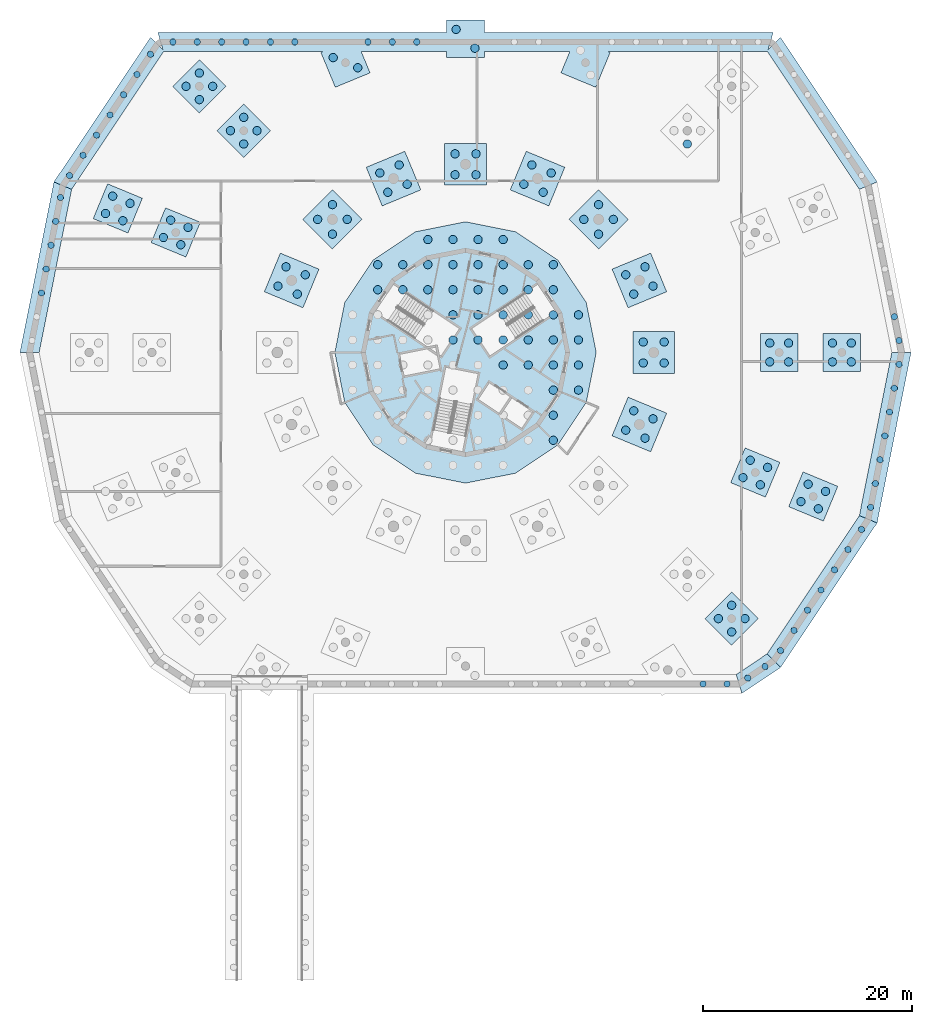
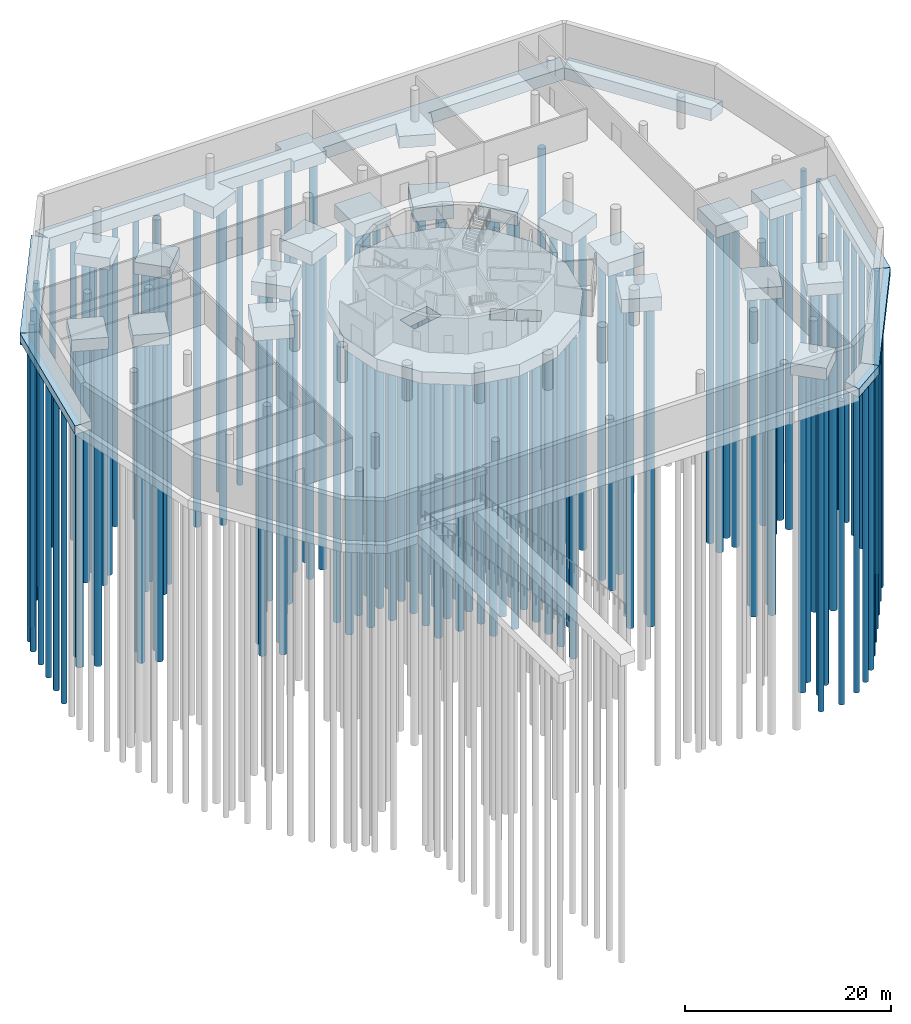
# One storey, part 2 of 8: 158 piles, 24 footings.
"""IFC4 building model written with IfcOpenShell, lengths in metres."""

from ifc_helpers import new_model, si_unit, direction, frame, origin, origin_2d, place, context, subcontext, project, spatial, polyline, circle, outline, extrude, material, layer, layer_set, material_profile, profile_set, type_object, element, save


model = new_model("IFC4")

# Units and contexts
model_context = context("Model", 3, precision=1e-05, world=origin(), true_north=direction((0.0, 1.0)))
body_context = subcontext(model_context, "Body", "Model", "MODEL_VIEW")
ifc_project = project(units=[si_unit("LENGTHUNIT", "METRE"), si_unit("AREAUNIT", "SQUARE_METRE"), si_unit("VOLUMEUNIT", "CUBIC_METRE"), si_unit("PLANEANGLEUNIT", "RADIAN"), si_unit("MASSUNIT", "GRAM", prefix="KILO")], contexts=[model_context])

# Site, building, storey
site_placement = place(None, origin())
site = spatial("IfcSite", under=ifc_project, at=site_placement, CompositionType="ELEMENT")
building_placement = place(site_placement, origin())
building = spatial("IfcBuilding", under=site, at=building_placement, Name="Ceibo Conservatory and Research Tower", CompositionType="ELEMENT")
storey_placement = place(building_placement, frame((0.0, 0.0, -4.199951171875)))
storey = spatial("IfcBuildingStorey", under=building, at=storey_placement, Name="B1", CompositionType="ELEMENT", Elevation=-4.199951171875)

# Piles
ifc_material_1 = material(Name="Concrete C35/45", Category="concrete")
ifc_material_profile_1 = material_profile(ifc_material_1, circle(Radius=0.300048828125, at=origin_2d()), Name="RC D600")
ifc_profile_set_1 = profile_set([ifc_material_profile_1], Name="Concrete C35/45")
pile_type_1 = type_object("IfcPileType", Name="Bored pile D600", PredefinedType="BORED", material=ifc_profile_set_1)
for number, where, z_axis, x_axis, name in (
    (1, (43.3349609375, 149.699951171875, -1.900146484375), (0.0, 0.0, -1.0), (1.0, 0.0, 0.0), "Pile B1.CAP.R05.J 16"),
    (2, (41.00244140625, 149.699951171875, -1.900146484375), (0.0, 0.0, -1.0), (1.0, 0.0, 0.0), "Pile B1.CAP.R05.J 17"),
    (3, (38.669921875, 149.699951171875, -1.900146484375), (0.0, 0.0, -1.0), (1.0, 0.0, 0.0), "Pile B1.CAP.R05.J 18"),
    (4, (31.672607421875, 149.699951171875, -1.900146484375), (0.0, 0.0, -1.0), (1.0, 0.0, 0.0), "Pile B1.CAP.R05.J 19"),
    (5, (29.340087890625, 149.699951171875, -1.900146484375), (0.0, 0.0, -1.0), (1.0, 0.0, 0.0), "Pile B1.CAP.R05.J 20"),
    (6, (27.007568359375, 149.699951171875, -1.900146484375), (0.0, 0.0, -1.0), (1.0, 0.0, 0.0), "Pile B1.CAP.R05.J 21"),
    (7, (24.675048828125, 149.699951171875, -1.900146484375), (0.0, 0.0, -1.0), (1.0, 0.0, 0.0), "Pile B1.CAP.R05.J 22"),
    (8, (22.342529296875, 149.699951171875, -1.900146484375), (0.0, 0.0, -1.0), (1.0, 0.0, 0.0), "Pile B1.CAP.R05.J 23"),
    (9, (20.010009765625, 149.699951171875, -1.900146484375), (0.0, 0.0, -1.0), (1.0, 0.0, 0.0), "Pile B1.CAP.R05.J 24"),
    (10, (17.872314453125, 148.51611328125, -1.900146484375), (0.0, 0.0, -1.0), (1.0, 0.0, 0.0), "Pile B1.CAP.R05.J 32"),
    (11, (16.5810546875, 146.583740234375, -1.900146484375), (0.0, 0.0, -1.0), (1.0, 0.0, 0.0), "Pile B1.CAP.R05.J 33"),
    (12, (15.289794921875, 144.6513671875, -1.900146484375), (0.0, 0.0, -1.0), (1.0, 0.0, 0.0), "Pile B1.CAP.R05.J 34"),
    (13, (13.998779296875, 142.718994140625, -1.900146484375), (0.0, 0.0, -1.0), (1.0, 0.0, 0.0), "Pile B1.CAP.R05.J 35"),
    (14, (12.70751953125, 140.78662109375, -1.900146484375), (0.0, 0.0, -1.0), (1.0, 0.0, 0.0), "Pile B1.CAP.R05.J 36"),
    (15, (11.41650390625, 138.854248046875, -1.900146484375), (0.0, 0.0, -1.0), (1.0, 0.0, 0.0), "Pile B1.CAP.R05.J 37"),
    (16, (10.125244140625, 136.921875, -1.900146484375), (0.0, 0.0, -1.0), (1.0, 0.0, 0.0), "Pile B1.CAP.R05.J 38"),
    (17, (70.724365234375, 88.300048828125, -1.900146484375), (0.0, 0.0, -1.0), (1.0, 0.0, 0.0), "Pile B1.CAPM.R10.J 17"),
    (18, (73.016845703125, 88.300048828125, -1.900146484375), (0.0, 0.0, -1.0), (1.0, 0.0, 0.0), "Pile B1.CAPM.R10.J 18"),
    (19, (9.2529296875, 134.81591796875, -1.5), (0.0, 0.0, -1.0), (1.0, 0.0, 0.0), "Pile B1.STRIP.F05 01"),
    (20, (8.799560546875, 132.53662109375, -1.5), (0.0, 0.0, -1.0), (1.0, 0.0, 0.0), "Pile B1.STRIP.F05 02"),
    (21, (8.34619140625, 130.25732421875, -1.5), (0.0, 0.0, -1.0), (1.0, 0.0, 0.0), "Pile B1.STRIP.F05 03"),
    (22, (7.892822265625, 127.977783203125, -1.5), (0.0, 0.0, -1.0), (1.0, 0.0, 0.0), "Pile B1.STRIP.F05 04"),
    (23, (7.439453125, 125.698486328125, -1.5), (0.0, 0.0, -1.0), (1.0, 0.0, 0.0), "Pile B1.STRIP.F05 05"),
    (24, (74.992919921875, 88.8544921875, -1.5), (0.0, 0.0, -1.0), (1.0, 0.0, 0.0), "Pile B1.STRIP.F10 01"),
    (25, (76.65234375, 89.96337890625, -1.5), (0.0, 0.0, -1.0), (1.0, 0.0, 0.0), "Pile B1.STRIP.F10 02"),
    (26, (78.127685546875, 91.48388671875, -1.5), (0.0, 0.0, -1.0), (1.0, 0.0, 0.0), "Pile B1.STRIP.F11 01"),
    (27, (79.4189453125, 93.416259765625, -1.5), (0.0, 0.0, -1.0), (1.0, 0.0, 0.0), "Pile B1.STRIP.F11 02"),
    (28, (80.710205078125, 95.3486328125, -1.5), (0.0, 0.0, -1.0), (1.0, 0.0, 0.0), "Pile B1.STRIP.F11 03"),
    (29, (82.001220703125, 97.281005859375, -1.5), (0.0, 0.0, -1.0), (1.0, 0.0, 0.0), "Pile B1.STRIP.F11 04"),
    (30, (83.29248046875, 99.21337890625, -1.5), (0.0, 0.0, -1.0), (1.0, 0.0, 0.0), "Pile B1.STRIP.F11 05"),
    (31, (84.58349609375, 101.145751953125, -1.5), (0.0, 0.0, -1.0), (1.0, 0.0, 0.0), "Pile B1.STRIP.F11 06"),
    (32, (85.874755859375, 103.078125, -1.5), (0.0, 0.0, -1.0), (1.0, 0.0, 0.0), "Pile B1.STRIP.F11 07"),
    (33, (86.7470703125, 105.18408203125, -1.5), (0.0, 0.0, -1.0), (1.0, 0.0, 0.0), "Pile B1.STRIP.F12 01"),
    (34, (87.200439453125, 107.46337890625, -1.5), (0.0, 0.0, -1.0), (1.0, 0.0, 0.0), "Pile B1.STRIP.F12 02"),
    (35, (87.65380859375, 109.74267578125, -1.5), (0.0, 0.0, -1.0), (1.0, 0.0, 0.0), "Pile B1.STRIP.F12 03"),
    (36, (88.107177734375, 112.022216796875, -1.5), (0.0, 0.0, -1.0), (1.0, 0.0, 0.0), "Pile B1.STRIP.F12 04"),
    (37, (88.560546875, 114.301513671875, -1.5), (0.0, 0.0, -1.0), (1.0, 0.0, 0.0), "Pile B1.STRIP.F12 05"),
    (38, (89.013916015625, 116.580810546875, -1.5), (0.0, 0.0, -1.0), (1.0, 0.0, 0.0), "Pile B1.STRIP.F12 06"),
    (39, (89.467529296875, 118.8603515625, -1.5), (0.0, 0.0, -1.0), (1.0, 0.0, 0.0), "Pile B1.STRIP.F12 07"),
    (40, (89.467529296875, 121.1396484375, -1.5), (0.0, 0.0, -1.0), (1.0, 0.0, 0.0), "Pile B1.STRIP.F13 01"),
    (41, (89.013916015625, 123.419189453125, -1.5), (0.0, 0.0, -1.0), (1.0, 0.0, 0.0), "Pile B1.STRIP.F13 02"),
):
    element("IfcPile", number, at=place(storey_placement, frame(where, z_axis=z_axis, x_axis=x_axis)), inside=storey, type_object=pile_type_1, Name=name, PredefinedType="BORED", context=body_context, shape_type="SweptSolid", body=[
        extrude(circle(Radius=0.300048828125, at=origin_2d()), origin(), (0.0, 0.0, 1.0), 36.0),
    ])
ifc_material_profile_2 = material_profile(ifc_material_1, circle(Radius=0.39990234375, at=origin_2d()), Name="RC D800")
ifc_profile_set_2 = profile_set([ifc_material_profile_2], Name="Concrete C35/45")
pile_type_2 = type_object("IfcPileType", Name="Bored pile D800", PredefinedType="BORED", material=ifc_profile_set_2)
for number, where, z_axis, x_axis, name in (
    (42, (56.39990234375, 111.60009765625, -2.699951171875), (0.0, 0.0, -1.0), (1.0, 0.0, 0.0), "Pile T.CAP.CORE 12"),
    (43, (56.39990234375, 114.0, -2.699951171875), (0.0, 0.0, -1.0), (1.0, 0.0, 0.0), "Pile T.CAP.CORE 20"),
    (44, (56.39990234375, 116.39990234375, -2.699951171875), (0.0, 0.0, -1.0), (1.0, 0.0, 0.0), "Pile T.CAP.CORE 29"),
    (45, (58.800048828125, 116.39990234375, -2.699951171875), (0.0, 0.0, -1.0), (1.0, 0.0, 0.0), "Pile T.CAP.CORE 30"),
    (46, (51.60009765625, 118.800048828125, -2.699951171875), (0.0, 0.0, -1.0), (1.0, 0.0, 0.0), "Pile T.CAP.CORE 37"),
    (47, (54.0, 118.800048828125, -2.699951171875), (0.0, 0.0, -1.0), (1.0, 0.0, 0.0), "Pile T.CAP.CORE 38"),
    (48, (56.39990234375, 118.800048828125, -2.699951171875), (0.0, 0.0, -1.0), (1.0, 0.0, 0.0), "Pile T.CAP.CORE 39"),
    (49, (58.800048828125, 118.800048828125, -2.699951171875), (0.0, 0.0, -1.0), (1.0, 0.0, 0.0), "Pile T.CAP.CORE 40"),
    (50, (46.800048828125, 121.199951171875, -2.699951171875), (0.0, 0.0, -1.0), (1.0, 0.0, 0.0), "Pile T.CAP.CORE 45"),
    (51, (49.199951171875, 121.199951171875, -2.699951171875), (0.0, 0.0, -1.0), (1.0, 0.0, 0.0), "Pile T.CAP.CORE 46"),
    (52, (51.60009765625, 121.199951171875, -2.699951171875), (0.0, 0.0, -1.0), (1.0, 0.0, 0.0), "Pile T.CAP.CORE 47"),
    (53, (54.0, 121.199951171875, -2.699951171875), (0.0, 0.0, -1.0), (1.0, 0.0, 0.0), "Pile T.CAP.CORE 48"),
    (54, (56.39990234375, 121.199951171875, -2.699951171875), (0.0, 0.0, -1.0), (1.0, 0.0, 0.0), "Pile T.CAP.CORE 49"),
    (55, (58.800048828125, 121.199951171875, -2.699951171875), (0.0, 0.0, -1.0), (1.0, 0.0, 0.0), "Pile T.CAP.CORE 50"),
    (56, (46.800048828125, 123.60009765625, -2.699951171875), (0.0, 0.0, -1.0), (1.0, 0.0, 0.0), "Pile T.CAP.CORE 55"),
    (57, (49.199951171875, 123.60009765625, -2.699951171875), (0.0, 0.0, -1.0), (1.0, 0.0, 0.0), "Pile T.CAP.CORE 56"),
    (58, (51.60009765625, 123.60009765625, -2.699951171875), (0.0, 0.0, -1.0), (1.0, 0.0, 0.0), "Pile T.CAP.CORE 57"),
    (59, (54.0, 123.60009765625, -2.699951171875), (0.0, 0.0, -1.0), (1.0, 0.0, 0.0), "Pile T.CAP.CORE 58"),
    (60, (56.39990234375, 123.60009765625, -2.699951171875), (0.0, 0.0, -1.0), (1.0, 0.0, 0.0), "Pile T.CAP.CORE 59"),
    (61, (58.800048828125, 123.60009765625, -2.699951171875), (0.0, 0.0, -1.0), (1.0, 0.0, 0.0), "Pile T.CAP.CORE 60"),
    (62, (39.60009765625, 126.0, -2.699951171875), (0.0, 0.0, -1.0), (1.0, 0.0, 0.0), "Pile T.CAP.CORE 61"),
    (63, (42.0, 126.0, -2.699951171875), (0.0, 0.0, -1.0), (1.0, 0.0, 0.0), "Pile T.CAP.CORE 62"),
    (64, (44.39990234375, 126.0, -2.699951171875), (0.0, 0.0, -1.0), (1.0, 0.0, 0.0), "Pile T.CAP.CORE 63"),
    (65, (46.800048828125, 126.0, -2.699951171875), (0.0, 0.0, -1.0), (1.0, 0.0, 0.0), "Pile T.CAP.CORE 64"),
    (66, (49.199951171875, 126.0, -2.699951171875), (0.0, 0.0, -1.0), (1.0, 0.0, 0.0), "Pile T.CAP.CORE 65"),
    (67, (51.60009765625, 126.0, -2.699951171875), (0.0, 0.0, -1.0), (1.0, 0.0, 0.0), "Pile T.CAP.CORE 66"),
    (68, (54.0, 126.0, -2.699951171875), (0.0, 0.0, -1.0), (1.0, 0.0, 0.0), "Pile T.CAP.CORE 67"),
    (69, (56.39990234375, 126.0, -2.699951171875), (0.0, 0.0, -1.0), (1.0, 0.0, 0.0), "Pile T.CAP.CORE 68"),
    (70, (39.60009765625, 128.39990234375, -2.699951171875), (0.0, 0.0, -1.0), (1.0, 0.0, 0.0), "Pile T.CAP.CORE 69"),
    (71, (42.0, 128.39990234375, -2.699951171875), (0.0, 0.0, -1.0), (1.0, 0.0, 0.0), "Pile T.CAP.CORE 70"),
    (72, (44.39990234375, 128.39990234375, -2.699951171875), (0.0, 0.0, -1.0), (1.0, 0.0, 0.0), "Pile T.CAP.CORE 71"),
    (73, (46.800048828125, 128.39990234375, -2.699951171875), (0.0, 0.0, -1.0), (1.0, 0.0, 0.0), "Pile T.CAP.CORE 72"),
    (74, (49.199951171875, 128.39990234375, -2.699951171875), (0.0, 0.0, -1.0), (1.0, 0.0, 0.0), "Pile T.CAP.CORE 73"),
    (75, (51.60009765625, 128.39990234375, -2.699951171875), (0.0, 0.0, -1.0), (1.0, 0.0, 0.0), "Pile T.CAP.CORE 74"),
    (76, (54.0, 128.39990234375, -2.699951171875), (0.0, 0.0, -1.0), (1.0, 0.0, 0.0), "Pile T.CAP.CORE 75"),
    (77, (56.39990234375, 128.39990234375, -2.699951171875), (0.0, 0.0, -1.0), (1.0, 0.0, 0.0), "Pile T.CAP.CORE 76"),
    (78, (44.39990234375, 130.800048828125, -2.699951171875), (0.0, 0.0, -1.0), (1.0, 0.0, 0.0), "Pile T.CAP.CORE 77"),
    (79, (46.800048828125, 130.800048828125, -2.699951171875), (0.0, 0.0, -1.0), (1.0, 0.0, 0.0), "Pile T.CAP.CORE 78"),
    (80, (49.199951171875, 130.800048828125, -2.699951171875), (0.0, 0.0, -1.0), (1.0, 0.0, 0.0), "Pile T.CAP.CORE 79"),
    (81, (51.60009765625, 130.800048828125, -2.699951171875), (0.0, 0.0, -1.0), (1.0, 0.0, 0.0), "Pile T.CAP.CORE 80"),
    (82, (65.0, 119.0, -2.10009765625), (0.0, 0.0, -1.0), (1.0, 0.0, 0.0), "Pile T.CAP.R01 01"),
    (83, (65.0, 121.0, -2.10009765625), (0.0, 0.0, -1.0), (1.0, 0.0, 0.0), "Pile T.CAP.R01 02"),
    (84, (67.0, 119.0, -2.10009765625), (0.0, 0.0, -1.0), (1.0, 0.0, 0.0), "Pile T.CAP.R01 03"),
    (85, (67.0, 121.0, -2.10009765625), (0.0, 0.0, -1.0), (1.0, 0.0, 0.0), "Pile T.CAP.R01 04"),
    (86, (64.088623046875, 125.581787109375, -2.10009765625), (0.0, 0.0, -1.0), (1.0, 0.0, 0.0), "Pile T.CAP.R02 01"),
    (87, (63.3232421875, 127.429443359375, -2.10009765625), (0.0, 0.0, -1.0), (1.0, 0.0, 0.0), "Pile T.CAP.R02 02"),
    (88, (65.936279296875, 126.34716796875, -2.10009765625), (0.0, 0.0, -1.0), (1.0, 0.0, 0.0), "Pile T.CAP.R02 03"),
    (89, (65.171142578125, 128.19482421875, -2.10009765625), (0.0, 0.0, -1.0), (1.0, 0.0, 0.0), "Pile T.CAP.R02 04"),
    (90, (60.72802734375, 131.313720703125, -2.10009765625), (0.0, 0.0, -1.0), (1.0, 0.0, 0.0), "Pile T.CAP.R03 01"),
    (91, (59.313720703125, 132.72802734375, -2.10009765625), (0.0, 0.0, -1.0), (1.0, 0.0, 0.0), "Pile T.CAP.R03 02"),
    (92, (62.14208984375, 132.72802734375, -2.10009765625), (0.0, 0.0, -1.0), (1.0, 0.0, 0.0), "Pile T.CAP.R03 03"),
    (93, (60.72802734375, 134.14208984375, -2.10009765625), (0.0, 0.0, -1.0), (1.0, 0.0, 0.0), "Pile T.CAP.R03 04"),
    (94, (55.429443359375, 135.3232421875, -2.10009765625), (0.0, 0.0, -1.0), (1.0, 0.0, 0.0), "Pile T.CAP.R04 01"),
    (95, (53.581787109375, 136.088623046875, -2.10009765625), (0.0, 0.0, -1.0), (1.0, 0.0, 0.0), "Pile T.CAP.R04 02"),
    (96, (56.19482421875, 137.171142578125, -2.10009765625), (0.0, 0.0, -1.0), (1.0, 0.0, 0.0), "Pile T.CAP.R04 03"),
    (97, (54.34716796875, 137.936279296875, -2.10009765625), (0.0, 0.0, -1.0), (1.0, 0.0, 0.0), "Pile T.CAP.R04 04"),
    (98, (49.0, 137.0, -2.10009765625), (0.0, 0.0, -1.0), (1.0, 0.0, 0.0), "Pile T.CAP.R05 01"),
    (99, (47.0, 137.0, -2.10009765625), (0.0, 0.0, -1.0), (1.0, 0.0, 0.0), "Pile T.CAP.R05 02"),
    (100, (49.0, 139.0, -2.10009765625), (0.0, 0.0, -1.0), (1.0, 0.0, 0.0), "Pile T.CAP.R05 03"),
    (101, (47.0, 139.0, -2.10009765625), (0.0, 0.0, -1.0), (1.0, 0.0, 0.0), "Pile T.CAP.R05 04"),
    (102, (42.418212890625, 136.088623046875, -2.10009765625), (0.0, 0.0, -1.0), (1.0, 0.0, 0.0), "Pile T.CAP.R06 01"),
    (103, (40.570556640625, 135.3232421875, -2.10009765625), (0.0, 0.0, -1.0), (1.0, 0.0, 0.0), "Pile T.CAP.R06 02"),
    (104, (41.65283203125, 137.936279296875, -2.10009765625), (0.0, 0.0, -1.0), (1.0, 0.0, 0.0), "Pile T.CAP.R06 03"),
    (105, (39.80517578125, 137.171142578125, -2.10009765625), (0.0, 0.0, -1.0), (1.0, 0.0, 0.0), "Pile T.CAP.R06 04"),
    (106, (36.686279296875, 132.72802734375, -2.10009765625), (0.0, 0.0, -1.0), (1.0, 0.0, 0.0), "Pile T.CAP.R07 01"),
    (107, (35.27197265625, 131.313720703125, -2.10009765625), (0.0, 0.0, -1.0), (1.0, 0.0, 0.0), "Pile T.CAP.R07 02"),
    (108, (35.27197265625, 134.14208984375, -2.10009765625), (0.0, 0.0, -1.0), (1.0, 0.0, 0.0), "Pile T.CAP.R07 03"),
    (109, (33.85791015625, 132.72802734375, -2.10009765625), (0.0, 0.0, -1.0), (1.0, 0.0, 0.0), "Pile T.CAP.R07 04"),
    (110, (32.6767578125, 127.429443359375, -2.10009765625), (0.0, 0.0, -1.0), (1.0, 0.0, 0.0), "Pile T.CAP.R08 01"),
    (111, (31.911376953125, 125.581787109375, -2.10009765625), (0.0, 0.0, -1.0), (1.0, 0.0, 0.0), "Pile T.CAP.R08 02"),
    (112, (30.828857421875, 128.19482421875, -2.10009765625), (0.0, 0.0, -1.0), (1.0, 0.0, 0.0), "Pile T.CAP.R08 03"),
    (113, (30.063720703125, 126.34716796875, -2.10009765625), (0.0, 0.0, -1.0), (1.0, 0.0, 0.0), "Pile T.CAP.R08 04"),
    (114, (63.3232421875, 112.570556640625, -2.10009765625), (0.0, 0.0, -1.0), (1.0, 0.0, 0.0), "Pile T.CAP.R16 01"),
    (115, (64.088623046875, 114.418212890625, -2.10009765625), (0.0, 0.0, -1.0), (1.0, 0.0, 0.0), "Pile T.CAP.R16 02"),
    (116, (65.171142578125, 111.80517578125, -2.10009765625), (0.0, 0.0, -1.0), (1.0, 0.0, 0.0), "Pile T.CAP.R16 03"),
    (117, (65.936279296875, 113.65283203125, -2.10009765625), (0.0, 0.0, -1.0), (1.0, 0.0, 0.0), "Pile T.CAP.R16 04"),
    (118, (77.10009765625, 119.10009765625, -1.900146484375), (0.0, 0.0, -1.0), (1.0, 0.0, 0.0), "Pile B1.CAP.R01 01"),
    (119, (78.89990234375, 119.10009765625, -1.900146484375), (0.0, 0.0, -1.0), (1.0, 0.0, 0.0), "Pile B1.CAP.R01 02"),
    (120, (78.89990234375, 120.89990234375, -1.900146484375), (0.0, 0.0, -1.0), (1.0, 0.0, 0.0), "Pile B1.CAP.R01 03"),
    (121, (77.10009765625, 120.89990234375, -1.900146484375), (0.0, 0.0, -1.0), (1.0, 0.0, 0.0), "Pile B1.CAP.R01 04"),
    (122, (69.213134765625, 139.9404296875, -1.900146484375), (0.0, 0.0, -1.0), (1.0, 0.0, 0.0), "Pile B1.CAP.R03 01"),
    (123, (48.89990234375, 149.10009765625, -1.900146484375), (0.0, 0.0, -1.0), (1.0, 0.0, 0.0), "Pile B1.CAP.R05.J 01"),
    (124, (47.10009765625, 150.89990234375, -1.900146484375), (0.0, 0.0, -1.0), (1.0, 0.0, 0.0), "Pile B1.CAP.R05.J 02"),
    (125, (37.6953125, 147.229248046875, -1.900146484375), (0.0, 0.0, -1.0), (1.0, 0.0, 0.0), "Pile B1.CAP.R05.J 05"),
    (126, (35.343505859375, 148.203369140625, -1.900146484375), (0.0, 0.0, -1.0), (1.0, 0.0, 0.0), "Pile B1.CAP.R05.J 06"),
    (127, (28.0595703125, 141.213134765625, -1.900146484375), (0.0, 0.0, -1.0), (1.0, 0.0, 0.0), "Pile B1.CAP.R07 01"),
    (128, (26.786865234375, 142.486083984375, -1.900146484375), (0.0, 0.0, -1.0), (1.0, 0.0, 0.0), "Pile B1.CAP.R07 02"),
    (129, (25.513916015625, 141.213134765625, -1.900146484375), (0.0, 0.0, -1.0), (1.0, 0.0, 0.0), "Pile B1.CAP.R07 03"),
    (130, (26.786865234375, 139.9404296875, -1.900146484375), (0.0, 0.0, -1.0), (1.0, 0.0, 0.0), "Pile B1.CAP.R07 04"),
    (131, (21.45947265625, 131.967529296875, -1.900146484375), (0.0, 0.0, -1.0), (1.0, 0.0, 0.0), "Pile B1.CAP.R08 01"),
    (132, (19.796630859375, 132.656494140625, -1.900146484375), (0.0, 0.0, -1.0), (1.0, 0.0, 0.0), "Pile B1.CAP.R08 02"),
    (133, (19.107666015625, 130.993408203125, -1.900146484375), (0.0, 0.0, -1.0), (1.0, 0.0, 0.0), "Pile B1.CAP.R08 03"),
    (134, (20.770751953125, 130.3046875, -1.900146484375), (0.0, 0.0, -1.0), (1.0, 0.0, 0.0), "Pile B1.CAP.R08 04"),
    (135, (74.54052734375, 108.032470703125, -1.900146484375), (0.0, 0.0, -1.0), (1.0, 0.0, 0.0), "Pile B1.CAP.R16 01"),
    (136, (76.203369140625, 107.343505859375, -1.900146484375), (0.0, 0.0, -1.0), (1.0, 0.0, 0.0), "Pile B1.CAP.R16 02"),
    (137, (76.892333984375, 109.006591796875, -1.900146484375), (0.0, 0.0, -1.0), (1.0, 0.0, 0.0), "Pile B1.CAP.R16 03"),
    (138, (75.229248046875, 109.6953125, -1.900146484375), (0.0, 0.0, -1.0), (1.0, 0.0, 0.0), "Pile B1.CAP.R16 04"),
    (139, (83.10009765625, 119.10009765625, -1.900146484375), (0.0, 0.0, -1.0), (1.0, 0.0, 0.0), "Pile B1.CAPM.R01 01"),
    (140, (84.89990234375, 119.10009765625, -1.900146484375), (0.0, 0.0, -1.0), (1.0, 0.0, 0.0), "Pile B1.CAPM.R01 02"),
    (141, (84.89990234375, 120.89990234375, -1.900146484375), (0.0, 0.0, -1.0), (1.0, 0.0, 0.0), "Pile B1.CAPM.R01 03"),
    (142, (83.10009765625, 120.89990234375, -1.900146484375), (0.0, 0.0, -1.0), (1.0, 0.0, 0.0), "Pile B1.CAPM.R01 04"),
    (143, (23.81689453125, 145.455810546875, -1.900146484375), (0.0, 0.0, -1.0), (1.0, 0.0, 0.0), "Pile B1.CAPM.R04 01"),
    (144, (22.544189453125, 146.728515625, -1.900146484375), (0.0, 0.0, -1.0), (1.0, 0.0, 0.0), "Pile B1.CAPM.R04 02"),
    (145, (21.271484375, 145.455810546875, -1.900146484375), (0.0, 0.0, -1.0), (1.0, 0.0, 0.0), "Pile B1.CAPM.R04 03"),
    (146, (22.544189453125, 144.18310546875, -1.900146484375), (0.0, 0.0, -1.0), (1.0, 0.0, 0.0), "Pile B1.CAPM.R04 04"),
    (147, (15.916259765625, 134.263671875, -1.900146484375), (0.0, 0.0, -1.0), (1.0, 0.0, 0.0), "Pile B1.CAPM.R05 01"),
    (148, (14.253173828125, 134.952392578125, -1.900146484375), (0.0, 0.0, -1.0), (1.0, 0.0, 0.0), "Pile B1.CAPM.R05 02"),
    (149, (13.564453125, 133.28955078125, -1.900146484375), (0.0, 0.0, -1.0), (1.0, 0.0, 0.0), "Pile B1.CAPM.R05 03"),
    (150, (15.227294921875, 132.6005859375, -1.900146484375), (0.0, 0.0, -1.0), (1.0, 0.0, 0.0), "Pile B1.CAPM.R05 04"),
    (151, (72.18310546875, 94.544189453125, -1.900146484375), (0.0, 0.0, -1.0), (1.0, 0.0, 0.0), "Pile B1.CAPM.R11 01"),
    (152, (73.455810546875, 93.271484375, -1.900146484375), (0.0, 0.0, -1.0), (1.0, 0.0, 0.0), "Pile B1.CAPM.R11 02"),
    (153, (74.728515625, 94.544189453125, -1.900146484375), (0.0, 0.0, -1.0), (1.0, 0.0, 0.0), "Pile B1.CAPM.R11 03"),
    (154, (73.455810546875, 95.81689453125, -1.900146484375), (0.0, 0.0, -1.0), (1.0, 0.0, 0.0), "Pile B1.CAPM.R11 04"),
    (155, (80.083740234375, 105.736328125, -1.900146484375), (0.0, 0.0, -1.0), (1.0, 0.0, 0.0), "Pile B1.CAPM.R12 01"),
    (156, (81.746826171875, 105.047607421875, -1.900146484375), (0.0, 0.0, -1.0), (1.0, 0.0, 0.0), "Pile B1.CAPM.R12 02"),
    (157, (82.435546875, 106.71044921875, -1.900146484375), (0.0, 0.0, -1.0), (1.0, 0.0, 0.0), "Pile B1.CAPM.R12 03"),
    (158, (80.772705078125, 107.3994140625, -1.900146484375), (0.0, 0.0, -1.0), (1.0, 0.0, 0.0), "Pile B1.CAPM.R12 04"),
):
    element("IfcPile", number, at=place(storey_placement, frame(where, z_axis=z_axis, x_axis=x_axis)), inside=storey, type_object=pile_type_2, Name=name, PredefinedType="BORED", context=body_context, shape_type="SweptSolid", body=[
        extrude(circle(Radius=0.39990234375, at=origin_2d()), origin(), (0.0, 0.0, 1.0), 38.0),
    ])

# Footings
ifc_material_2 = material(Name="Concrete C40/50", Category="concrete")
ifc_layer_1 = layer(ifc_material_2, 1.39990234375)
ifc_layer_set_1 = layer_set([ifc_layer_1], Name="Concrete C40/50")
footing_type_1 = type_object("IfcFootingType", Name="Pile cap 3600x3600x1400", PredefinedType="PILE_CAP", material=ifc_layer_set_1)
footing_1_placement = place(storey_placement, frame((0.0, 0.0, -2.0)))
element("IfcFooting", 159, at=footing_1_placement, inside=storey, type_object=footing_type_1, Name="Pile cap R1", PredefinedType="PILE_CAP", context=body_context, shape_type="SweptSolid", body=[
    extrude(outline(polyline([(76.199951171875, 118.199951171875), (79.800048828125, 118.199951171875), (79.800048828125, 121.800048828125), (76.199951171875, 121.800048828125), (76.199951171875, 118.199951171875)])), origin(), (0.0, 0.0, 1.0), 1.39990234375),
])
for number, where, z_axis, x_axis, name in (
    (160, (29.332275390625, 141.213134765625, -2.0), (0.0, 0.0, 1.0), (-0.707106781187, 0.707106781187, 0.0), "Pile cap R7"),
    (161, (22.635498046875, 132.45458984375, -2.0), (0.0, 0.0, 1.0), (-0.923879554627, 0.382683378973, 0.0), "Pile cap R8"),
    (162, (73.364501953125, 107.54541015625, -2.0), (0.0, 0.0, 1.0), (0.923879554627, -0.382683378973, 0.0), "Pile cap R16"),
):
    element("IfcFooting", number, at=place(storey_placement, frame(where, z_axis=z_axis, x_axis=x_axis)), inside=storey, type_object=footing_type_1, Name=name, PredefinedType="PILE_CAP", context=body_context, shape_type="SweptSolid", body=[
        extrude(outline(polyline([(0.0, 0.0), (3.60009765625, 0.0), (3.60009765625, 3.60009765625), (0.0, 3.60009765625), (0.0, 0.0)])), origin(), (0.0, 0.0, 1.0), 1.39990234375),
    ])
footing_2_placement = place(storey_placement, frame((0.0, 0.0, -2.0)))
element("IfcFooting", 163, at=footing_2_placement, inside=storey, type_object=footing_type_1, Name="Pile cap M1", PredefinedType="PILE_CAP", context=body_context, shape_type="SweptSolid", body=[
    extrude(outline(polyline([(82.199951171875, 118.199951171875), (85.800048828125, 118.199951171875), (85.800048828125, 121.800048828125), (82.199951171875, 121.800048828125), (82.199951171875, 118.199951171875)])), origin(), (0.0, 0.0, 1.0), 1.39990234375),
])
for number, where, z_axis, x_axis, name in (
    (164, (25.08984375, 145.455810546875, -2.0), (0.0, 0.0, 1.0), (-0.707106781187, 0.707106781187, 0.0), "Pile cap M7"),
    (165, (17.092041015625, 134.750732421875, -2.0), (0.0, 0.0, 1.0), (-0.923879554627, 0.382683378973, 0.0), "Pile cap M8"),
    (166, (70.91015625, 94.544189453125, -2.0), (0.0, 0.0, 1.0), (0.707106781187, -0.707106781187, 0.0), "Pile cap M15"),
    (167, (78.907958984375, 105.249267578125, -2.0), (0.0, 0.0, 1.0), (0.923879554627, -0.382683378973, 0.0), "Pile cap M16"),
):
    element("IfcFooting", number, at=place(storey_placement, frame(where, z_axis=z_axis, x_axis=x_axis)), inside=storey, type_object=footing_type_1, Name=name, PredefinedType="PILE_CAP", context=body_context, shape_type="SweptSolid", body=[
        extrude(outline(polyline([(0.0, 0.0), (3.60009765625, 0.0), (3.60009765625, 3.60009765625), (0.0, 3.60009765625), (0.0, 0.0)])), origin(), (0.0, 0.0, 1.0), 1.39990234375),
    ])
ifc_layer_2 = layer(ifc_material_2, 1.60009765625)
ifc_layer_set_2 = layer_set([ifc_layer_2], Name="Concrete C40/50")
footing_type_2 = type_object("IfcFootingType", Name="Pile cap 4000x4000x1600", PredefinedType="PILE_CAP", material=ifc_layer_set_2)
footing_3_placement = place(storey_placement, frame((0.0, 0.0, -2.199951171875)))
element("IfcFooting", 168, at=footing_3_placement, inside=storey, type_object=footing_type_2, Name="Pile cap R1", PredefinedType="PILE_CAP", context=body_context, shape_type="SweptSolid", body=[
    extrude(outline(polyline([(64.0, 118.0), (68.0, 118.0), (68.0, 122.0), (64.0, 122.0), (64.0, 118.0)])), origin(), (0.0, 0.0, 1.0), 1.599853515625),
])
for number, where, z_axis, x_axis, name in (
    (169, (63.54736328125, 124.275146484375, -2.199951171875), (0.0, 0.0, 1.0), (0.923879503838, 0.38268350159, 0.0), "Pile cap R2"),
    (170, (60.72802734375, 129.8994140625, -2.199951171875), (0.0, 0.0, 1.0), (0.707106781187, 0.707106781187, 0.0), "Pile cap R3"),
    (171, (55.970703125, 134.0166015625, -2.199951171875), (0.0, 0.0, 1.0), (0.38268350159, 0.923879503838, 0.0), "Pile cap R4"),
):
    element("IfcFooting", number, at=place(storey_placement, frame(where, z_axis=z_axis, x_axis=x_axis)), inside=storey, type_object=footing_type_2, Name=name, PredefinedType="PILE_CAP", context=body_context, shape_type="SweptSolid", body=[
        extrude(outline(polyline([(0.0, 0.0), (4.0, 0.0), (4.0, 4.0), (0.0, 4.0), (0.0, 0.0)])), origin(), (0.0, 0.0, 1.0), 1.599853515625),
    ])
footing_4_placement = place(storey_placement, frame((0.0, 0.0, -2.199951171875)))
element("IfcFooting", 172, at=footing_4_placement, inside=storey, type_object=footing_type_2, Name="Pile cap R5", PredefinedType="PILE_CAP", context=body_context, shape_type="SweptSolid", body=[
    extrude(outline(polyline([(50.0, 136.0), (50.0, 140.0), (46.0, 140.0), (46.0, 136.0), (50.0, 136.0)])), origin(), (0.0, 0.0, 1.0), 1.599853515625),
])
for number, where, z_axis, x_axis, name in (
    (173, (43.724853515625, 135.54736328125, -2.199951171875), (0.0, 0.0, 1.0), (-0.38268350159, 0.923879503838, 0.0), "Pile cap R6"),
    (174, (38.1005859375, 132.72802734375, -2.199951171875), (0.0, 0.0, 1.0), (-0.707106781187, 0.707106781187, 0.0), "Pile cap R7"),
    (175, (33.9833984375, 127.970703125, -2.199951171875), (0.0, 0.0, 1.0), (-0.923879503838, 0.38268350159, 0.0), "Pile cap R8"),
    (176, (62.0166015625, 112.029296875, -2.199951171875), (0.0, 0.0, 1.0), (0.923879503838, -0.38268350159, 0.0), "Pile cap R16"),
):
    element("IfcFooting", number, at=place(storey_placement, frame(where, z_axis=z_axis, x_axis=x_axis)), inside=storey, type_object=footing_type_2, Name=name, PredefinedType="PILE_CAP", context=body_context, shape_type="SweptSolid", body=[
        extrude(outline(polyline([(0.0, 0.0), (4.0, 0.0), (4.0, 4.0), (0.0, 4.0), (0.0, 0.0)])), origin(), (0.0, 0.0, 1.0), 1.599853515625),
    ])
ifc_layer_3 = layer(ifc_material_2, 1.39990234375)
ifc_layer_set_3 = layer_set([ifc_layer_3], Name="Concrete C40/50")
footing_type_3 = type_object("IfcFootingType", Name="Pile cap combined 1400", PredefinedType="PILE_CAP", material=ifc_layer_set_3)
footing_5_placement = place(storey_placement, frame((0.0, 0.0, -2.0)))
element("IfcFooting", 177, at=footing_5_placement, inside=storey, type_object=footing_type_3, Name="Pile cap B1.CAP.R05.J", PredefinedType="PILE_CAP", context=body_context, shape_type="SweptSolid", body=[
    extrude(outline(polyline([(10.327392578125, 135.6044921875), (19.144287109375, 148.800048828125), (34.431884765625, 148.800048828125), (34.167724609375, 148.6904296875), (35.54541015625, 145.364501953125), (38.871337890625, 146.7421875), (38.01904296875, 148.800048828125), (46.199951171875, 148.800048828125), (46.199951171875, 148.199951171875), (49.800048828125, 148.199951171875), (49.800048828125, 148.800048828125), (57.98095703125, 148.800048828125), (57.128662109375, 146.7421875), (60.45458984375, 145.364501953125), (61.832275390625, 148.6904296875), (61.568115234375, 148.800048828125), (76.855712890625, 148.800048828125), (85.672607421875, 135.6044921875), (87.3681640625, 136.306884765625), (78.131103515625, 150.131103515625), (76.91943359375, 148.91943359375), (77.42919921875, 150.60009765625), (49.800048828125, 150.60009765625), (49.800048828125, 151.800048828125), (46.199951171875, 151.800048828125), (46.199951171875, 150.60009765625), (18.57080078125, 150.60009765625), (19.08056640625, 148.91943359375), (17.868896484375, 150.131103515625), (8.6318359375, 136.306884765625), (10.327392578125, 135.6044921875)])), origin(), (0.0, 0.0, 1.0), 1.39990234375),
])
ifc_layer_4 = layer(ifc_material_2, 1.39990234375)
ifc_layer_set_4 = layer_set([ifc_layer_4], Name="Concrete C40/50")
footing_type_4 = type_object("IfcFootingType", Name="Pile cap core upper 1400", PredefinedType="PILE_CAP", material=ifc_layer_set_4)
footing_6_placement = place(storey_placement, frame((0.0, 0.0, -2.0)))
element("IfcFooting", 178, at=footing_6_placement, inside=storey, type_object=footing_type_4, Name="Core pile cap, upper part", PredefinedType="PILE_CAP", context=body_context, shape_type="SweptSolid", body=[
    extrude(outline(polyline([(60.5, 120.0), (59.548583984375, 124.783447265625), (56.8388671875, 128.8388671875), (52.783447265625, 131.548583984375), (48.0, 132.5), (43.216552734375, 131.548583984375), (39.1611328125, 128.8388671875), (36.451416015625, 124.783447265625), (35.5, 120.0), (36.451416015625, 115.216552734375), (39.1611328125, 111.1611328125), (43.216552734375, 108.451416015625), (48.0, 107.5), (52.783447265625, 108.451416015625), (56.8388671875, 111.1611328125), (59.548583984375, 115.216552734375), (60.5, 120.0)]), holes=[polyline([(51.37744140625, 114.074951171875), (53.373046875, 112.74169921875), (54.428466796875, 114.321533203125), (52.43310546875, 115.65478515625), (51.37744140625, 114.074951171875)]), polyline([(50.271240234375, 117.099365234375), (49.215576171875, 115.51953125), (51.211181640625, 114.18603515625), (52.266845703125, 115.765869140625), (50.271240234375, 117.099365234375)]), polyline([(45.556640625, 118.443359375), (45.14697265625, 120.503173828125), (41.71435546875, 119.8203125), (42.1240234375, 117.760498046875), (45.556640625, 118.443359375)])]), origin(), (0.0, 0.0, 1.0), 1.39990234375),
])
ifc_layer_5 = layer(ifc_material_2, 1.0)
ifc_layer_set_5 = layer_set([ifc_layer_5], Name="Concrete C40/50")
footing_type_5 = type_object("IfcFootingType", Name="Strip cap 1800x1000", PredefinedType="STRIP_FOOTING", material=ifc_layer_set_5)
footing_7_placement = place(storey_placement, frame((0.0, 0.0, -1.60009765625)))
element("IfcFooting", 179, at=footing_7_placement, inside=storey, type_object=footing_type_5, Name="Strip cap B1.STRIP.F05", PredefinedType="STRIP_FOOTING", context=body_context, shape_type="SweptSolid", body=[
    extrude(outline(polyline([(8.6318359375, 136.306884765625), (5.38818359375, 120.0), (7.223388671875, 120.0), (10.327392578125, 135.6044921875), (8.6318359375, 136.306884765625)])), origin(), (0.0, 0.0, 1.0), 1.0),
])
footing_8_placement = place(storey_placement, frame((0.0, 0.0, -1.60009765625)))
element("IfcFooting", 180, at=footing_8_placement, inside=storey, type_object=footing_type_5, Name="Strip cap B1.STRIP.F10", PredefinedType="STRIP_FOOTING", context=body_context, shape_type="SweptSolid", body=[
    extrude(outline(polyline([(74.43603515625, 87.39990234375), (78.131103515625, 89.868896484375), (76.833251953125, 91.166748046875), (73.889892578125, 89.199951171875), (74.43603515625, 87.39990234375)])), origin(), (0.0, 0.0, 1.0), 1.0),
])
footing_9_placement = place(storey_placement, frame((0.0, 0.0, -1.60009765625)))
element("IfcFooting", 181, at=footing_9_placement, inside=storey, type_object=footing_type_5, Name="Strip cap B1.STRIP.F11", PredefinedType="STRIP_FOOTING", context=body_context, shape_type="SweptSolid", body=[
    extrude(outline(polyline([(78.131103515625, 89.868896484375), (87.3681640625, 103.693115234375), (85.672607421875, 104.3955078125), (76.833251953125, 91.166748046875), (78.131103515625, 89.868896484375)])), origin(), (0.0, 0.0, 1.0), 1.0),
])
footing_10_placement = place(storey_placement, frame((0.0, 0.0, -1.60009765625)))
element("IfcFooting", 182, at=footing_10_placement, inside=storey, type_object=footing_type_5, Name="Strip cap B1.STRIP.F12", PredefinedType="STRIP_FOOTING", context=body_context, shape_type="SweptSolid", body=[
    extrude(outline(polyline([(87.3681640625, 103.693115234375), (90.61181640625, 120.0), (88.776611328125, 120.0), (85.672607421875, 104.3955078125), (87.3681640625, 103.693115234375)])), origin(), (0.0, 0.0, 1.0), 1.0),
])

save(model, "model.ifc")
